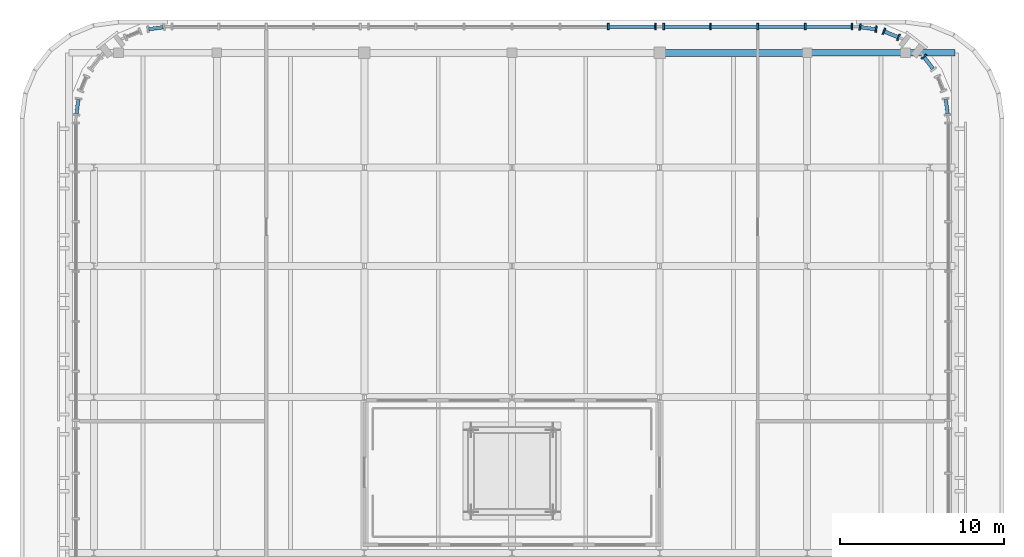
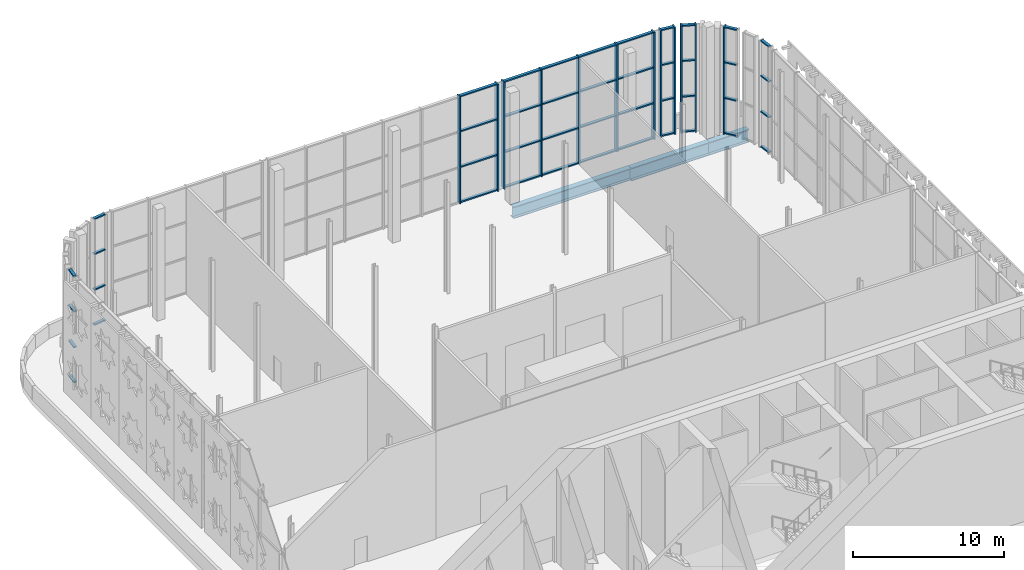
# One storey, part 14 of 26: 56 members, 3 beams, 8 elements without a shape of their own.
"""IFC4 building model written with IfcOpenShell, lengths in metres."""

from ifc_helpers import new_model, si_unit, direction, frame, origin, origin_2d, place, context, subcontext, project, spatial, rectangle, i_section, extrude, material, material_profile, profile_set, type_object, element, aggregate, save


model = new_model("IFC4")

# Units and contexts
model_context = context("Model", 3, precision=1e-05, world=origin(), true_north=direction((0.0, 1.0)))
body_context = subcontext(model_context, "Body", "Model", "MODEL_VIEW")
ifc_project = project(units=[si_unit("LENGTHUNIT", "METRE"), si_unit("AREAUNIT", "SQUARE_METRE"), si_unit("VOLUMEUNIT", "CUBIC_METRE"), si_unit("PLANEANGLEUNIT", "RADIAN"), si_unit("MASSUNIT", "GRAM", prefix="KILO")], contexts=[model_context])

# Site, building, storey
site_placement = place(None, origin())
site = spatial("IfcSite", under=ifc_project, at=site_placement, CompositionType="ELEMENT")
building_placement = place(site_placement, origin())
building = spatial("IfcBuilding", under=site, at=building_placement, Name="Zellij Exchange Tower", CompositionType="ELEMENT")
storey_placement = place(building_placement, frame((0.0, 0.0, 296.5)))
storey = spatial("IfcBuildingStorey", under=building, at=storey_placement, Name="L70", CompositionType="ELEMENT", Elevation=296.5)

# Curtain wall, member
ifc_material_1 = material(Name="Bronze anodised aluminium frame, bronze laminated glass", Category="aluminium")
curtain_wall_type = type_object("IfcCurtainWallType", Name="ENV-CW5 Damper-gallery glazing", PredefinedType="NOTDEFINED", material=ifc_material_1)
curtain_wall_1_placement = place(storey_placement, origin())
curtain_wall_1 = element("IfcCurtainWall", 1, at=curtain_wall_1_placement, inside=storey, type_object=curtain_wall_type, Name="cw.L70.07", PredefinedType="NOTDEFINED")
ifc_material_2 = material(Name="Aluminium, bronze anodised", Category="aluminium")
ifc_material_profile_1 = material_profile(ifc_material_2, rectangle(XDim=0.10009765625, YDim=0.39990234375, at=origin_2d()), Name="AL 100x400")
ifc_profile_set_1 = profile_set([ifc_material_profile_1], Name="Aluminium, bronze anodised")
member_type_1 = type_object("IfcMemberType", Name="ENV-CW5M Mullion 100x400", PredefinedType="MULLION", material=ifc_profile_set_1)
member_1_placement = place(storey_placement, frame((25.109619140625, 34.759033203125, 0.0), z_axis=(0.0, 0.0, 1.0), x_axis=(-0.6087401576, 0.793369661964, 0.0)))
member_1 = element("IfcMember", 2, at=member_1_placement, type_object=member_type_1, Name="CW5 mullion 2", PredefinedType="MULLION", context=body_context, shape_type="SweptSolid", body=[
    extrude(rectangle(XDim=0.10009765625, YDim=0.39990234375, at=origin_2d()), origin(), (0.0, 0.0, 1.0), 8.64990234375),
])

# Curtain wall, members
curtain_wall_2_placement = place(storey_placement, origin())
curtain_wall_2 = element("IfcCurtainWall", 3, at=curtain_wall_2_placement, inside=storey, type_object=curtain_wall_type, Name="cw.L70.09", PredefinedType="NOTDEFINED")
member_2_placement = place(storey_placement, frame((23.5673828125, 35.9423828125, 0.0), z_axis=(0.0, 0.0, 1.0), x_axis=(-0.923850250318, 0.382754118186, 0.0)))
member_2 = element("IfcMember", 4, at=member_2_placement, type_object=member_type_1, Name="CW5 mullion 1", PredefinedType="MULLION", context=body_context, shape_type="SweptSolid", body=[
    extrude(rectangle(XDim=0.10009765625, YDim=0.39990234375, at=origin_2d()), origin(), (0.0, 0.0, 1.0), 8.64990234375),
])
member_3_placement = place(storey_placement, frame((22.679443359375, 36.310302734375, 0.0), z_axis=(0.0, 0.0, 1.0), x_axis=(-0.923850250318, 0.382754118186, 0.0)))
member_3 = element("IfcMember", 5, at=member_3_placement, type_object=member_type_1, Name="CW5 mullion 2", PredefinedType="MULLION", context=body_context, shape_type="SweptSolid", body=[
    extrude(rectangle(XDim=0.10009765625, YDim=0.39990234375, at=origin_2d()), origin(), (0.0, 0.0, 1.0), 8.64990234375),
])

curtain_wall_3_placement = place(storey_placement, origin())
curtain_wall_3 = element("IfcCurtainWall", 6, at=curtain_wall_3_placement, inside=storey, type_object=curtain_wall_type, Name="cw.L70.10", PredefinedType="NOTDEFINED")
member_4_placement = place(storey_placement, frame((22.20068359375, 36.4384765625, 0.0), z_axis=(0.0, 0.0, 1.0), x_axis=(-0.991448973532, 0.130494953476, 0.0)))
member_4 = element("IfcMember", 7, at=member_4_placement, type_object=member_type_1, Name="CW5 mullion 1", PredefinedType="MULLION", context=body_context, shape_type="SweptSolid", body=[
    extrude(rectangle(XDim=0.10009765625, YDim=0.39990234375, at=origin_2d()), origin(), (0.0, 0.0, 1.0), 8.64990234375),
])
member_5_placement = place(storey_placement, frame((21.2216796875, 36.5673828125, 0.0), z_axis=(0.0, 0.0, 1.0), x_axis=(-0.991448973532, 0.130494953476, 0.0)))
member_5 = element("IfcMember", 8, at=member_5_placement, type_object=member_type_1, Name="CW5 mullion 2", PredefinedType="MULLION", context=body_context, shape_type="SweptSolid", body=[
    extrude(rectangle(XDim=0.10009765625, YDim=0.39990234375, at=origin_2d()), origin(), (0.0, 0.0, 1.0), 8.64990234375),
])

curtain_wall_4_placement = place(storey_placement, origin())
curtain_wall_4 = element("IfcCurtainWall", 9, at=curtain_wall_4_placement, inside=storey, type_object=curtain_wall_type, Name="cw.L70.11a", PredefinedType="NOTDEFINED")
member_6_placement = place(storey_placement, frame((20.723876953125, 36.60009765625, 0.0), z_axis=(0.0, 0.0, 1.0), x_axis=(-1.0, 0.0, 0.0)))
member_6 = element("IfcMember", 10, at=member_6_placement, type_object=member_type_1, Name="CW5 mullion 1", PredefinedType="MULLION", context=body_context, shape_type="SweptSolid", body=[
    extrude(rectangle(XDim=0.10009765625, YDim=0.39990234375, at=origin_2d()), origin(), (0.0, 0.0, 1.0), 8.64990234375),
])
member_7_placement = place(storey_placement, frame((17.88037109375, 36.60009765625, 0.0), z_axis=(0.0, 0.0, 1.0), x_axis=(-1.0, 0.0, 0.0)))
member_7 = element("IfcMember", 11, at=member_7_placement, type_object=member_type_1, Name="CW5 mullion 2", PredefinedType="MULLION", context=body_context, shape_type="SweptSolid", body=[
    extrude(rectangle(XDim=0.10009765625, YDim=0.39990234375, at=origin_2d()), origin(), (0.0, 0.0, 1.0), 8.64990234375),
])
member_8_placement = place(storey_placement, frame((14.98681640625, 36.60009765625, 0.0), z_axis=(0.0, 0.0, 1.0), x_axis=(-1.0, 0.0, 0.0)))
member_8 = element("IfcMember", 12, at=member_8_placement, type_object=member_type_1, Name="CW5 mullion 3", PredefinedType="MULLION", context=body_context, shape_type="SweptSolid", body=[
    extrude(rectangle(XDim=0.10009765625, YDim=0.39990234375, at=origin_2d()), origin(), (0.0, 0.0, 1.0), 8.64990234375),
])
member_9_placement = place(storey_placement, frame((12.093505859375, 36.60009765625, 0.0), z_axis=(0.0, 0.0, 1.0), x_axis=(-1.0, 0.0, 0.0)))
member_9 = element("IfcMember", 13, at=member_9_placement, type_object=member_type_1, Name="CW5 mullion 4", PredefinedType="MULLION", context=body_context, shape_type="SweptSolid", body=[
    extrude(rectangle(XDim=0.10009765625, YDim=0.39990234375, at=origin_2d()), origin(), (0.0, 0.0, 1.0), 8.64990234375),
])
member_10_placement = place(storey_placement, frame((9.25, 36.60009765625, 0.0), z_axis=(0.0, 0.0, 1.0), x_axis=(-1.0, 0.0, 0.0)))
member_10 = element("IfcMember", 14, at=member_10_placement, type_object=member_type_1, Name="CW5 mullion 5", PredefinedType="MULLION", context=body_context, shape_type="SweptSolid", body=[
    extrude(rectangle(XDim=0.10009765625, YDim=0.39990234375, at=origin_2d()), origin(), (0.0, 0.0, 1.0), 8.64990234375),
])

curtain_wall_5_placement = place(storey_placement, origin())
curtain_wall_5 = element("IfcCurtainWall", 15, at=curtain_wall_5_placement, inside=storey, type_object=curtain_wall_type, Name="cw.L70.11b", PredefinedType="NOTDEFINED")
member_11_placement = place(storey_placement, frame((8.75, 36.60009765625, 0.0), z_axis=(0.0, 0.0, 1.0), x_axis=(-1.0, 0.0, 0.0)))
member_11 = element("IfcMember", 16, at=member_11_placement, type_object=member_type_1, Name="CW5 mullion 1", PredefinedType="MULLION", context=body_context, shape_type="SweptSolid", body=[
    extrude(rectangle(XDim=0.10009765625, YDim=0.39990234375, at=origin_2d()), origin(), (0.0, 0.0, 1.0), 8.64990234375),
])
member_12_placement = place(storey_placement, frame((5.86669921875, 36.60009765625, 0.0), z_axis=(0.0, 0.0, 1.0), x_axis=(-1.0, 0.0, 0.0)))
member_12 = element("IfcMember", 17, at=member_12_placement, type_object=member_type_1, Name="CW5 mullion 2", PredefinedType="MULLION", context=body_context, shape_type="SweptSolid", body=[
    extrude(rectangle(XDim=0.10009765625, YDim=0.39990234375, at=origin_2d()), origin(), (0.0, 0.0, 1.0), 8.64990234375),
])

curtain_wall_6_placement = place(storey_placement, origin())
curtain_wall_6 = element("IfcCurtainWall", 18, at=curtain_wall_6_placement, inside=storey, type_object=curtain_wall_type, Name="cw.L70.05", PredefinedType="NOTDEFINED")
ifc_material_profile_2 = material_profile(ifc_material_2, rectangle(XDim=0.219970703125, YDim=0.10009765625, at=origin_2d()), Name="AL 220x100")
ifc_profile_set_2 = profile_set([ifc_material_profile_2], Name="Aluminium, bronze anodised")
member_type_2 = type_object("IfcMemberType", Name="ENV-CW5T Transom 220x100", PredefinedType="USERDEFINED", material=ifc_profile_set_2)
member_13_placement = place(storey_placement, frame((26.560791015625, 31.271240234375, 0.050048828125), z_axis=(-0.13039758212, 0.991461784729, 0.0), x_axis=(-0.991461784729, -0.13039758212, 0.0)))
member_13 = element("IfcMember", 19, at=member_13_placement, type_object=member_type_2, Name="CW5 transom 1.1", ObjectType="TRANSOM", PredefinedType="USERDEFINED", context=body_context, shape_type="SweptSolid", body=[
    extrude(rectangle(XDim=0.219970703125, YDim=0.10009765625, at=origin_2d()), origin(), (0.0, 0.0, 1.0), 0.887451171875),
])
member_14_placement = place(storey_placement, frame((26.560791015625, 31.271240234375, 2.88330078125), z_axis=(-0.13039758212, 0.991461784729, 0.0), x_axis=(-0.991461784729, -0.13039758212, 0.0)))
member_14 = element("IfcMember", 20, at=member_14_placement, type_object=member_type_2, Name="CW5 transom 1.2", ObjectType="TRANSOM", PredefinedType="USERDEFINED", context=body_context, shape_type="SweptSolid", body=[
    extrude(rectangle(XDim=0.219970703125, YDim=0.10009765625, at=origin_2d()), origin(), (0.0, 0.0, 1.0), 0.887451171875),
])
member_15_placement = place(storey_placement, frame((26.560791015625, 31.271240234375, 5.7666015625), z_axis=(-0.13039758212, 0.991461784729, 0.0), x_axis=(-0.991461784729, -0.13039758212, 0.0)))
member_15 = element("IfcMember", 21, at=member_15_placement, type_object=member_type_2, Name="CW5 transom 1.3", ObjectType="TRANSOM", PredefinedType="USERDEFINED", context=body_context, shape_type="SweptSolid", body=[
    extrude(rectangle(XDim=0.219970703125, YDim=0.10009765625, at=origin_2d()), origin(), (0.0, 0.0, 1.0), 0.887451171875),
])
member_16_placement = place(storey_placement, frame((26.560791015625, 31.271240234375, 8.60009765625), z_axis=(-0.13039758212, 0.991461784729, 0.0), x_axis=(-0.991461784729, -0.13039758212, 0.0)))
member_16 = element("IfcMember", 22, at=member_16_placement, type_object=member_type_2, Name="CW5 transom 1.4", ObjectType="TRANSOM", PredefinedType="USERDEFINED", context=body_context, shape_type="SweptSolid", body=[
    extrude(rectangle(XDim=0.219970703125, YDim=0.10009765625, at=origin_2d()), origin(), (0.0, 0.0, 1.0), 0.887451171875),
])
aggregate(curtain_wall_6, [member_13, member_14, member_15, member_16])

# Member
member_17_placement = place(storey_placement, frame((25.6640625, 34.0361328125, 0.050048828125), z_axis=(-0.608627916573, 0.793455770139, 0.0), x_axis=(-0.793455770139, -0.608627916573, 0.0)))
member_17 = element("IfcMember", 23, at=member_17_placement, type_object=member_type_2, Name="CW5 transom 1.1", ObjectType="TRANSOM", PredefinedType="USERDEFINED", context=body_context, shape_type="SweptSolid", body=[
    extrude(rectangle(XDim=0.219970703125, YDim=0.10009765625, at=origin_2d()), origin(), (0.0, 0.0, 1.0), 0.861328125),
])

member_18_placement = place(storey_placement, frame((25.6640625, 34.0361328125, 2.88330078125), z_axis=(-0.608627916573, 0.793455770139, 0.0), x_axis=(-0.793455770139, -0.608627916573, 0.0)))
member_18 = element("IfcMember", 24, at=member_18_placement, type_object=member_type_2, Name="CW5 transom 1.2", ObjectType="TRANSOM", PredefinedType="USERDEFINED", context=body_context, shape_type="SweptSolid", body=[
    extrude(rectangle(XDim=0.219970703125, YDim=0.10009765625, at=origin_2d()), origin(), (0.0, 0.0, 1.0), 0.861328125),
])

member_19_placement = place(storey_placement, frame((25.6640625, 34.0361328125, 5.7666015625), z_axis=(-0.608627916573, 0.793455770139, 0.0), x_axis=(-0.793455770139, -0.608627916573, 0.0)))
member_19 = element("IfcMember", 25, at=member_19_placement, type_object=member_type_2, Name="CW5 transom 1.3", ObjectType="TRANSOM", PredefinedType="USERDEFINED", context=body_context, shape_type="SweptSolid", body=[
    extrude(rectangle(XDim=0.219970703125, YDim=0.10009765625, at=origin_2d()), origin(), (0.0, 0.0, 1.0), 0.861328125),
])

member_20_placement = place(storey_placement, frame((25.6640625, 34.0361328125, 8.60009765625), z_axis=(-0.608627916573, 0.793455770139, 0.0), x_axis=(-0.793455770139, -0.608627916573, 0.0)))
member_20 = element("IfcMember", 26, at=member_20_placement, type_object=member_type_2, Name="CW5 transom 1.4", ObjectType="TRANSOM", PredefinedType="USERDEFINED", context=body_context, shape_type="SweptSolid", body=[
    extrude(rectangle(XDim=0.219970703125, YDim=0.10009765625, at=origin_2d()), origin(), (0.0, 0.0, 1.0), 0.861328125),
])

aggregate(curtain_wall_1, [member_1, member_17, member_18, member_19, member_20])

member_21_placement = place(storey_placement, frame((23.52099609375, 35.961669921875, 0.050048828125), z_axis=(-0.923930436798, 0.382560515421, 0.0), x_axis=(-0.382560515421, -0.923930436798, 0.0)))
member_21 = element("IfcMember", 27, at=member_21_placement, type_object=member_type_2, Name="CW5 transom 1.1", ObjectType="TRANSOM", PredefinedType="USERDEFINED", context=body_context, shape_type="SweptSolid", body=[
    extrude(rectangle(XDim=0.219970703125, YDim=0.10009765625, at=origin_2d()), origin(), (0.0, 0.0, 1.0), 0.86083984375),
])

member_22_placement = place(storey_placement, frame((23.52099609375, 35.961669921875, 2.88330078125), z_axis=(-0.923930436798, 0.382560515421, 0.0), x_axis=(-0.382560515421, -0.923930436798, 0.0)))
member_22 = element("IfcMember", 28, at=member_22_placement, type_object=member_type_2, Name="CW5 transom 1.2", ObjectType="TRANSOM", PredefinedType="USERDEFINED", context=body_context, shape_type="SweptSolid", body=[
    extrude(rectangle(XDim=0.219970703125, YDim=0.10009765625, at=origin_2d()), origin(), (0.0, 0.0, 1.0), 0.86083984375),
])

member_23_placement = place(storey_placement, frame((23.52099609375, 35.961669921875, 5.7666015625), z_axis=(-0.923930436798, 0.382560515421, 0.0), x_axis=(-0.382560515421, -0.923930436798, 0.0)))
member_23 = element("IfcMember", 29, at=member_23_placement, type_object=member_type_2, Name="CW5 transom 1.3", ObjectType="TRANSOM", PredefinedType="USERDEFINED", context=body_context, shape_type="SweptSolid", body=[
    extrude(rectangle(XDim=0.219970703125, YDim=0.10009765625, at=origin_2d()), origin(), (0.0, 0.0, 1.0), 0.86083984375),
])

member_24_placement = place(storey_placement, frame((23.52099609375, 35.961669921875, 8.60009765625), z_axis=(-0.923930436798, 0.382560515421, 0.0), x_axis=(-0.382560515421, -0.923930436798, 0.0)))
member_24 = element("IfcMember", 30, at=member_24_placement, type_object=member_type_2, Name="CW5 transom 1.4", ObjectType="TRANSOM", PredefinedType="USERDEFINED", context=body_context, shape_type="SweptSolid", body=[
    extrude(rectangle(XDim=0.219970703125, YDim=0.10009765625, at=origin_2d()), origin(), (0.0, 0.0, 1.0), 0.86083984375),
])

aggregate(curtain_wall_2, [member_2, member_3, member_21, member_22, member_23, member_24])

member_25_placement = place(storey_placement, frame((22.151123046875, 36.445068359375, 0.050048828125), z_axis=(-0.991461784729, 0.13039758212, 0.0), x_axis=(-0.13039758212, -0.991461784729, 0.0)))
member_25 = element("IfcMember", 31, at=member_25_placement, type_object=member_type_2, Name="CW5 transom 1.1", ObjectType="TRANSOM", PredefinedType="USERDEFINED", context=body_context, shape_type="SweptSolid", body=[
    extrude(rectangle(XDim=0.219970703125, YDim=0.10009765625, at=origin_2d()), origin(), (0.0, 0.0, 1.0), 0.887451171875),
])

member_26_placement = place(storey_placement, frame((22.151123046875, 36.445068359375, 2.88330078125), z_axis=(-0.991461784729, 0.13039758212, 0.0), x_axis=(-0.13039758212, -0.991461784729, 0.0)))
member_26 = element("IfcMember", 32, at=member_26_placement, type_object=member_type_2, Name="CW5 transom 1.2", ObjectType="TRANSOM", PredefinedType="USERDEFINED", context=body_context, shape_type="SweptSolid", body=[
    extrude(rectangle(XDim=0.219970703125, YDim=0.10009765625, at=origin_2d()), origin(), (0.0, 0.0, 1.0), 0.887451171875),
])

member_27_placement = place(storey_placement, frame((22.151123046875, 36.445068359375, 5.7666015625), z_axis=(-0.991461784729, 0.13039758212, 0.0), x_axis=(-0.13039758212, -0.991461784729, 0.0)))
member_27 = element("IfcMember", 33, at=member_27_placement, type_object=member_type_2, Name="CW5 transom 1.3", ObjectType="TRANSOM", PredefinedType="USERDEFINED", context=body_context, shape_type="SweptSolid", body=[
    extrude(rectangle(XDim=0.219970703125, YDim=0.10009765625, at=origin_2d()), origin(), (0.0, 0.0, 1.0), 0.887451171875),
])

member_28_placement = place(storey_placement, frame((22.151123046875, 36.445068359375, 8.60009765625), z_axis=(-0.991461784729, 0.13039758212, 0.0), x_axis=(-0.13039758212, -0.991461784729, 0.0)))
member_28 = element("IfcMember", 34, at=member_28_placement, type_object=member_type_2, Name="CW5 transom 1.4", ObjectType="TRANSOM", PredefinedType="USERDEFINED", context=body_context, shape_type="SweptSolid", body=[
    extrude(rectangle(XDim=0.219970703125, YDim=0.10009765625, at=origin_2d()), origin(), (0.0, 0.0, 1.0), 0.887451171875),
])

aggregate(curtain_wall_3, [member_4, member_5, member_25, member_26, member_27, member_28])

member_29_placement = place(storey_placement, frame((20.673828125, 36.60009765625, 0.050048828125), z_axis=(-1.0, 0.0, 0.0), x_axis=(0.0, -1.0, 0.0)))
member_29 = element("IfcMember", 35, at=member_29_placement, type_object=member_type_2, Name="CW5 transom 1.1", ObjectType="TRANSOM", PredefinedType="USERDEFINED", context=body_context, shape_type="SweptSolid", body=[
    extrude(rectangle(XDim=0.219970703125, YDim=0.10009765625, at=origin_2d()), origin(), (0.0, 0.0, 1.0), 2.743408203125),
])

member_30_placement = place(storey_placement, frame((20.673828125, 36.60009765625, 2.88330078125), z_axis=(-1.0, 0.0, 0.0), x_axis=(0.0, -1.0, 0.0)))
member_30 = element("IfcMember", 36, at=member_30_placement, type_object=member_type_2, Name="CW5 transom 1.2", ObjectType="TRANSOM", PredefinedType="USERDEFINED", context=body_context, shape_type="SweptSolid", body=[
    extrude(rectangle(XDim=0.219970703125, YDim=0.10009765625, at=origin_2d()), origin(), (0.0, 0.0, 1.0), 2.743408203125),
])

member_31_placement = place(storey_placement, frame((20.673828125, 36.60009765625, 5.7666015625), z_axis=(-1.0, 0.0, 0.0), x_axis=(0.0, -1.0, 0.0)))
member_31 = element("IfcMember", 37, at=member_31_placement, type_object=member_type_2, Name="CW5 transom 1.3", ObjectType="TRANSOM", PredefinedType="USERDEFINED", context=body_context, shape_type="SweptSolid", body=[
    extrude(rectangle(XDim=0.219970703125, YDim=0.10009765625, at=origin_2d()), origin(), (0.0, 0.0, 1.0), 2.743408203125),
])

member_32_placement = place(storey_placement, frame((20.673828125, 36.60009765625, 8.60009765625), z_axis=(-1.0, 0.0, 0.0), x_axis=(0.0, -1.0, 0.0)))
member_32 = element("IfcMember", 38, at=member_32_placement, type_object=member_type_2, Name="CW5 transom 1.4", ObjectType="TRANSOM", PredefinedType="USERDEFINED", context=body_context, shape_type="SweptSolid", body=[
    extrude(rectangle(XDim=0.219970703125, YDim=0.10009765625, at=origin_2d()), origin(), (0.0, 0.0, 1.0), 2.743408203125),
])

member_33_placement = place(storey_placement, frame((17.830322265625, 36.60009765625, 0.050048828125), z_axis=(-1.0, 0.0, 0.0), x_axis=(0.0, -1.0, 0.0)))
member_33 = element("IfcMember", 39, at=member_33_placement, type_object=member_type_2, Name="CW5 transom 2.1", ObjectType="TRANSOM", PredefinedType="USERDEFINED", context=body_context, shape_type="SweptSolid", body=[
    extrude(rectangle(XDim=0.219970703125, YDim=0.10009765625, at=origin_2d()), origin(), (0.0, 0.0, 1.0), 2.79345703125),
])

member_34_placement = place(storey_placement, frame((17.830322265625, 36.60009765625, 2.88330078125), z_axis=(-1.0, 0.0, 0.0), x_axis=(0.0, -1.0, 0.0)))
member_34 = element("IfcMember", 40, at=member_34_placement, type_object=member_type_2, Name="CW5 transom 2.2", ObjectType="TRANSOM", PredefinedType="USERDEFINED", context=body_context, shape_type="SweptSolid", body=[
    extrude(rectangle(XDim=0.219970703125, YDim=0.10009765625, at=origin_2d()), origin(), (0.0, 0.0, 1.0), 2.79345703125),
])

member_35_placement = place(storey_placement, frame((17.830322265625, 36.60009765625, 5.7666015625), z_axis=(-1.0, 0.0, 0.0), x_axis=(0.0, -1.0, 0.0)))
member_35 = element("IfcMember", 41, at=member_35_placement, type_object=member_type_2, Name="CW5 transom 2.3", ObjectType="TRANSOM", PredefinedType="USERDEFINED", context=body_context, shape_type="SweptSolid", body=[
    extrude(rectangle(XDim=0.219970703125, YDim=0.10009765625, at=origin_2d()), origin(), (0.0, 0.0, 1.0), 2.79345703125),
])

member_36_placement = place(storey_placement, frame((17.830322265625, 36.60009765625, 8.60009765625), z_axis=(-1.0, 0.0, 0.0), x_axis=(0.0, -1.0, 0.0)))
member_36 = element("IfcMember", 42, at=member_36_placement, type_object=member_type_2, Name="CW5 transom 2.4", ObjectType="TRANSOM", PredefinedType="USERDEFINED", context=body_context, shape_type="SweptSolid", body=[
    extrude(rectangle(XDim=0.219970703125, YDim=0.10009765625, at=origin_2d()), origin(), (0.0, 0.0, 1.0), 2.79345703125),
])

member_37_placement = place(storey_placement, frame((14.93701171875, 36.60009765625, 0.050048828125), z_axis=(-1.0, 0.0, 0.0), x_axis=(0.0, -1.0, 0.0)))
member_37 = element("IfcMember", 43, at=member_37_placement, type_object=member_type_2, Name="CW5 transom 3.1", ObjectType="TRANSOM", PredefinedType="USERDEFINED", context=body_context, shape_type="SweptSolid", body=[
    extrude(rectangle(XDim=0.219970703125, YDim=0.10009765625, at=origin_2d()), origin(), (0.0, 0.0, 1.0), 2.79345703125),
])

member_38_placement = place(storey_placement, frame((14.93701171875, 36.60009765625, 2.88330078125), z_axis=(-1.0, 0.0, 0.0), x_axis=(0.0, -1.0, 0.0)))
member_38 = element("IfcMember", 44, at=member_38_placement, type_object=member_type_2, Name="CW5 transom 3.2", ObjectType="TRANSOM", PredefinedType="USERDEFINED", context=body_context, shape_type="SweptSolid", body=[
    extrude(rectangle(XDim=0.219970703125, YDim=0.10009765625, at=origin_2d()), origin(), (0.0, 0.0, 1.0), 2.79345703125),
])

member_39_placement = place(storey_placement, frame((14.93701171875, 36.60009765625, 5.7666015625), z_axis=(-1.0, 0.0, 0.0), x_axis=(0.0, -1.0, 0.0)))
member_39 = element("IfcMember", 45, at=member_39_placement, type_object=member_type_2, Name="CW5 transom 3.3", ObjectType="TRANSOM", PredefinedType="USERDEFINED", context=body_context, shape_type="SweptSolid", body=[
    extrude(rectangle(XDim=0.219970703125, YDim=0.10009765625, at=origin_2d()), origin(), (0.0, 0.0, 1.0), 2.79345703125),
])

member_40_placement = place(storey_placement, frame((14.93701171875, 36.60009765625, 8.60009765625), z_axis=(-1.0, 0.0, 0.0), x_axis=(0.0, -1.0, 0.0)))
member_40 = element("IfcMember", 46, at=member_40_placement, type_object=member_type_2, Name="CW5 transom 3.4", ObjectType="TRANSOM", PredefinedType="USERDEFINED", context=body_context, shape_type="SweptSolid", body=[
    extrude(rectangle(XDim=0.219970703125, YDim=0.10009765625, at=origin_2d()), origin(), (0.0, 0.0, 1.0), 2.79345703125),
])

member_41_placement = place(storey_placement, frame((12.04345703125, 36.60009765625, 0.050048828125), z_axis=(-1.0, 0.0, 0.0), x_axis=(0.0, -1.0, 0.0)))
member_41 = element("IfcMember", 47, at=member_41_placement, type_object=member_type_2, Name="CW5 transom 4.1", ObjectType="TRANSOM", PredefinedType="USERDEFINED", context=body_context, shape_type="SweptSolid", body=[
    extrude(rectangle(XDim=0.219970703125, YDim=0.10009765625, at=origin_2d()), origin(), (0.0, 0.0, 1.0), 2.743408203125),
])

member_42_placement = place(storey_placement, frame((12.04345703125, 36.60009765625, 2.88330078125), z_axis=(-1.0, 0.0, 0.0), x_axis=(0.0, -1.0, 0.0)))
member_42 = element("IfcMember", 48, at=member_42_placement, type_object=member_type_2, Name="CW5 transom 4.2", ObjectType="TRANSOM", PredefinedType="USERDEFINED", context=body_context, shape_type="SweptSolid", body=[
    extrude(rectangle(XDim=0.219970703125, YDim=0.10009765625, at=origin_2d()), origin(), (0.0, 0.0, 1.0), 2.743408203125),
])

member_43_placement = place(storey_placement, frame((12.04345703125, 36.60009765625, 5.7666015625), z_axis=(-1.0, 0.0, 0.0), x_axis=(0.0, -1.0, 0.0)))
member_43 = element("IfcMember", 49, at=member_43_placement, type_object=member_type_2, Name="CW5 transom 4.3", ObjectType="TRANSOM", PredefinedType="USERDEFINED", context=body_context, shape_type="SweptSolid", body=[
    extrude(rectangle(XDim=0.219970703125, YDim=0.10009765625, at=origin_2d()), origin(), (0.0, 0.0, 1.0), 2.743408203125),
])

member_44_placement = place(storey_placement, frame((12.04345703125, 36.60009765625, 8.60009765625), z_axis=(-1.0, 0.0, 0.0), x_axis=(0.0, -1.0, 0.0)))
member_44 = element("IfcMember", 50, at=member_44_placement, type_object=member_type_2, Name="CW5 transom 4.4", ObjectType="TRANSOM", PredefinedType="USERDEFINED", context=body_context, shape_type="SweptSolid", body=[
    extrude(rectangle(XDim=0.219970703125, YDim=0.10009765625, at=origin_2d()), origin(), (0.0, 0.0, 1.0), 2.743408203125),
])

aggregate(curtain_wall_4, [member_6, member_7, member_8, member_9, member_10, member_29, member_30, member_31, member_32, member_33, member_34, member_35, member_36, member_37, member_38, member_39, member_40, member_41, member_42, member_43, member_44])

member_45_placement = place(storey_placement, frame((8.699951171875, 36.60009765625, 0.050048828125), z_axis=(-1.0, 0.0, 0.0), x_axis=(0.0, -1.0, 0.0)))
member_45 = element("IfcMember", 51, at=member_45_placement, type_object=member_type_2, Name="CW5 transom 1.1", ObjectType="TRANSOM", PredefinedType="USERDEFINED", context=body_context, shape_type="SweptSolid", body=[
    extrude(rectangle(XDim=0.219970703125, YDim=0.10009765625, at=origin_2d()), origin(), (0.0, 0.0, 1.0), 2.783203125),
])

member_46_placement = place(storey_placement, frame((8.699951171875, 36.60009765625, 2.88330078125), z_axis=(-1.0, 0.0, 0.0), x_axis=(0.0, -1.0, 0.0)))
member_46 = element("IfcMember", 52, at=member_46_placement, type_object=member_type_2, Name="CW5 transom 1.2", ObjectType="TRANSOM", PredefinedType="USERDEFINED", context=body_context, shape_type="SweptSolid", body=[
    extrude(rectangle(XDim=0.219970703125, YDim=0.10009765625, at=origin_2d()), origin(), (0.0, 0.0, 1.0), 2.783203125),
])

member_47_placement = place(storey_placement, frame((8.699951171875, 36.60009765625, 5.7666015625), z_axis=(-1.0, 0.0, 0.0), x_axis=(0.0, -1.0, 0.0)))
member_47 = element("IfcMember", 53, at=member_47_placement, type_object=member_type_2, Name="CW5 transom 1.3", ObjectType="TRANSOM", PredefinedType="USERDEFINED", context=body_context, shape_type="SweptSolid", body=[
    extrude(rectangle(XDim=0.219970703125, YDim=0.10009765625, at=origin_2d()), origin(), (0.0, 0.0, 1.0), 2.783203125),
])

member_48_placement = place(storey_placement, frame((8.699951171875, 36.60009765625, 8.60009765625), z_axis=(-1.0, 0.0, 0.0), x_axis=(0.0, -1.0, 0.0)))
member_48 = element("IfcMember", 54, at=member_48_placement, type_object=member_type_2, Name="CW5 transom 1.4", ObjectType="TRANSOM", PredefinedType="USERDEFINED", context=body_context, shape_type="SweptSolid", body=[
    extrude(rectangle(XDim=0.219970703125, YDim=0.10009765625, at=origin_2d()), origin(), (0.0, 0.0, 1.0), 2.783203125),
])

aggregate(curtain_wall_5, [member_11, member_12, member_45, member_46, member_47, member_48])

# Curtain wall, members
curtain_wall_7_placement = place(storey_placement, origin())
curtain_wall_7 = element("IfcCurtainWall", 55, at=curtain_wall_7_placement, inside=storey, type_object=curtain_wall_type, Name="cw.L70.12", PredefinedType="NOTDEFINED")
member_49_placement = place(storey_placement, frame((-21.271240234375, 36.560791015625, 0.050048828125), z_axis=(-0.991461784729, -0.13039758212, 0.0), x_axis=(0.13039758212, -0.991461784729, 0.0)))
member_49 = element("IfcMember", 56, at=member_49_placement, type_object=member_type_2, Name="CW5 transom 1.1", ObjectType="TRANSOM", PredefinedType="USERDEFINED", context=body_context, shape_type="SweptSolid", body=[
    extrude(rectangle(XDim=0.219970703125, YDim=0.10009765625, at=origin_2d()), origin(), (0.0, 0.0, 1.0), 0.887451171875),
])
member_50_placement = place(storey_placement, frame((-21.271240234375, 36.560791015625, 2.88330078125), z_axis=(-0.991461784729, -0.13039758212, 0.0), x_axis=(0.13039758212, -0.991461784729, 0.0)))
member_50 = element("IfcMember", 57, at=member_50_placement, type_object=member_type_2, Name="CW5 transom 1.2", ObjectType="TRANSOM", PredefinedType="USERDEFINED", context=body_context, shape_type="SweptSolid", body=[
    extrude(rectangle(XDim=0.219970703125, YDim=0.10009765625, at=origin_2d()), origin(), (0.0, 0.0, 1.0), 0.887451171875),
])
member_51_placement = place(storey_placement, frame((-21.271240234375, 36.560791015625, 5.7666015625), z_axis=(-0.991461784729, -0.13039758212, 0.0), x_axis=(0.13039758212, -0.991461784729, 0.0)))
member_51 = element("IfcMember", 58, at=member_51_placement, type_object=member_type_2, Name="CW5 transom 1.3", ObjectType="TRANSOM", PredefinedType="USERDEFINED", context=body_context, shape_type="SweptSolid", body=[
    extrude(rectangle(XDim=0.219970703125, YDim=0.10009765625, at=origin_2d()), origin(), (0.0, 0.0, 1.0), 0.887451171875),
])
member_52_placement = place(storey_placement, frame((-21.271240234375, 36.560791015625, 8.60009765625), z_axis=(-0.991461784729, -0.13039758212, 0.0), x_axis=(0.13039758212, -0.991461784729, 0.0)))
member_52 = element("IfcMember", 59, at=member_52_placement, type_object=member_type_2, Name="CW5 transom 1.4", ObjectType="TRANSOM", PredefinedType="USERDEFINED", context=body_context, shape_type="SweptSolid", body=[
    extrude(rectangle(XDim=0.219970703125, YDim=0.10009765625, at=origin_2d()), origin(), (0.0, 0.0, 1.0), 0.887451171875),
])
aggregate(curtain_wall_7, [member_49, member_50, member_51, member_52])

curtain_wall_8_placement = place(storey_placement, origin())
curtain_wall_8 = element("IfcCurtainWall", 60, at=curtain_wall_8_placement, inside=storey, type_object=curtain_wall_type, Name="cw.L70.17", PredefinedType="NOTDEFINED")
member_53_placement = place(storey_placement, frame((-26.445068359375, 32.151123046875, 0.050048828125), z_axis=(-0.13039758212, -0.991461784729, 0.0), x_axis=(0.991461784729, -0.13039758212, 0.0)))
member_53 = element("IfcMember", 61, at=member_53_placement, type_object=member_type_2, Name="CW5 transom 1.1", ObjectType="TRANSOM", PredefinedType="USERDEFINED", context=body_context, shape_type="SweptSolid", body=[
    extrude(rectangle(XDim=0.219970703125, YDim=0.10009765625, at=origin_2d()), origin(), (0.0, 0.0, 1.0), 0.887451171875),
])
member_54_placement = place(storey_placement, frame((-26.445068359375, 32.151123046875, 2.88330078125), z_axis=(-0.13039758212, -0.991461784729, 0.0), x_axis=(0.991461784729, -0.13039758212, 0.0)))
member_54 = element("IfcMember", 62, at=member_54_placement, type_object=member_type_2, Name="CW5 transom 1.2", ObjectType="TRANSOM", PredefinedType="USERDEFINED", context=body_context, shape_type="SweptSolid", body=[
    extrude(rectangle(XDim=0.219970703125, YDim=0.10009765625, at=origin_2d()), origin(), (0.0, 0.0, 1.0), 0.887451171875),
])
member_55_placement = place(storey_placement, frame((-26.445068359375, 32.151123046875, 5.7666015625), z_axis=(-0.13039758212, -0.991461784729, 0.0), x_axis=(0.991461784729, -0.13039758212, 0.0)))
member_55 = element("IfcMember", 63, at=member_55_placement, type_object=member_type_2, Name="CW5 transom 1.3", ObjectType="TRANSOM", PredefinedType="USERDEFINED", context=body_context, shape_type="SweptSolid", body=[
    extrude(rectangle(XDim=0.219970703125, YDim=0.10009765625, at=origin_2d()), origin(), (0.0, 0.0, 1.0), 0.887451171875),
])
member_56_placement = place(storey_placement, frame((-26.445068359375, 32.151123046875, 8.60009765625), z_axis=(-0.13039758212, -0.991461784729, 0.0), x_axis=(0.991461784729, -0.13039758212, 0.0)))
member_56 = element("IfcMember", 64, at=member_56_placement, type_object=member_type_2, Name="CW5 transom 1.4", ObjectType="TRANSOM", PredefinedType="USERDEFINED", context=body_context, shape_type="SweptSolid", body=[
    extrude(rectangle(XDim=0.219970703125, YDim=0.10009765625, at=origin_2d()), origin(), (0.0, 0.0, 1.0), 0.887451171875),
])
aggregate(curtain_wall_8, [member_53, member_54, member_55, member_56])

# Beams
ifc_material_3 = material(Name="Structural steel ASTM A913 Gr 65", Category="steel")
ifc_material_profile_3 = material_profile(ifc_material_3, i_section(OverallWidth=0.424072265625, OverallDepth=0.93212890625, WebThickness=0.02392578125, FlangeThickness=0.042724609375, at=origin_2d()), Name="W36x300")
ifc_profile_set_3 = profile_set([ifc_material_profile_3], Name="Structural steel ASTM A913 Gr 65")
beam_type_1 = type_object("IfcBeamType", Name="STR-GIRDER W36x300", PredefinedType="BEAM", material=ifc_profile_set_3)
beam_1_placement = place(storey_placement, frame((9.0, 35.0, -0.8662109375), z_axis=(1.0, 0.0, 0.0), x_axis=(0.0, 1.0, 0.0)))
element("IfcBeam", 65, at=beam_1_placement, inside=storey, type_object=beam_type_1, Name="G5", PredefinedType="BEAM", context=body_context, shape_type="SweptSolid", body=[
    extrude(i_section(OverallWidth=0.424072265625, OverallDepth=0.93212890625, WebThickness=0.02392578125, FlangeThickness=0.042724609375, at=origin_2d()), origin(), (0.0, 0.0, 1.0), 9.0),
])
ifc_material_profile_4 = material_profile(ifc_material_3, i_section(OverallWidth=0.408935546875, OverallDepth=1.04150390625, WebThickness=0.031005859375, FlangeThickness=0.055908203125, at=origin_2d()), Name="W40x397")
ifc_profile_set_4 = profile_set([ifc_material_profile_4], Name="Structural steel ASTM A913 Gr 65")
beam_type_2 = type_object("IfcBeamType", Name="STR-TRANSFER GIRDER W40x397", PredefinedType="BEAM", material=ifc_profile_set_4)
beam_2_placement = place(storey_placement, frame((18.0, 35.0, -0.920654296875), z_axis=(1.0, 0.0, 0.0), x_axis=(0.0, 1.0, 0.0)))
element("IfcBeam", 66, at=beam_2_placement, inside=storey, type_object=beam_type_2, Name="TG6", PredefinedType="BEAM", context=body_context, shape_type="SweptSolid", body=[
    extrude(i_section(OverallWidth=0.408935546875, OverallDepth=1.04150390625, WebThickness=0.031005859375, FlangeThickness=0.055908203125, at=origin_2d()), origin(), (0.0, 0.0, 1.0), 6.0),
])
beam_3_placement = place(storey_placement, frame((24.0, 35.0, -0.920654296875), z_axis=(1.0, 0.0, 0.0), x_axis=(0.0, 1.0, 0.0)))
element("IfcBeam", 67, at=beam_3_placement, inside=storey, type_object=beam_type_2, Name="TG6", PredefinedType="BEAM", context=body_context, shape_type="SweptSolid", body=[
    extrude(i_section(OverallWidth=0.408935546875, OverallDepth=1.04150390625, WebThickness=0.031005859375, FlangeThickness=0.055908203125, at=origin_2d()), origin(), (0.0, 0.0, 1.0), 3.0),
])

save(model, "model.ifc")
